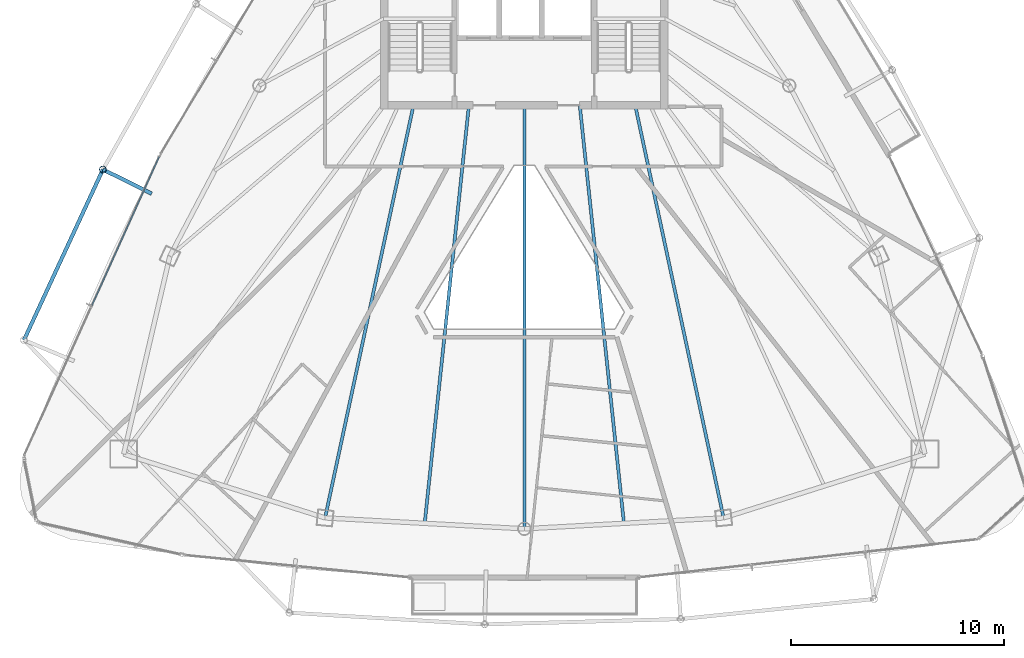
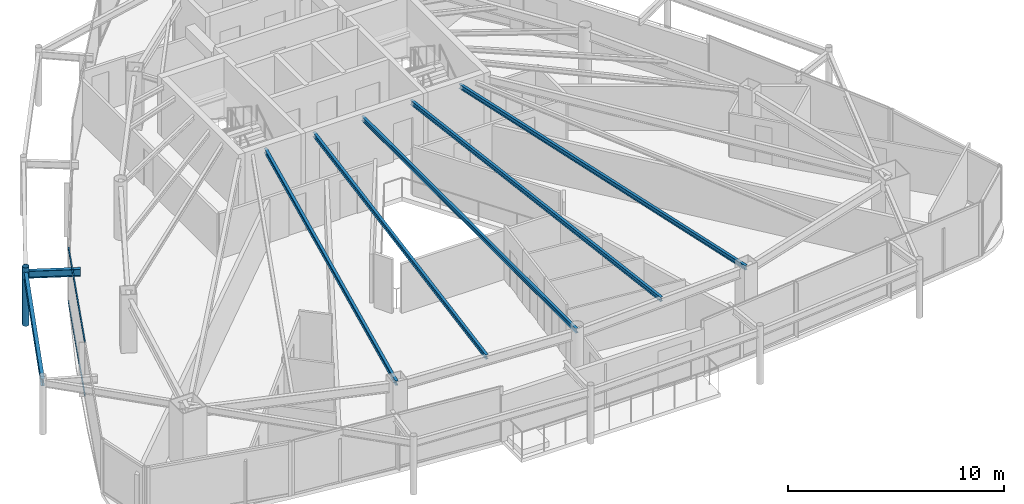
# One storey, part 10 of 33: 7 beams, 3 members, 1 element without a shape of its own.
"""IFC4 building model written with IfcOpenShell, lengths in metres."""

from ifc_helpers import new_model, si_unit, direction, frame, origin, origin_2d, place, context, subcontext, project, spatial, hollow_rectangle, hollow_circle, i_section, extrude, material, layer, layer_set, material_profile, profile_set, type_object, element, aggregate, save


model = new_model("IFC4")

# Units and contexts
model_context = context("Model", 3, precision=1e-05, world=origin(), true_north=direction((0.0, 1.0)))
body_context = subcontext(model_context, "Body", "Model", "MODEL_VIEW")
ifc_project = project(units=[si_unit("LENGTHUNIT", "METRE"), si_unit("AREAUNIT", "SQUARE_METRE"), si_unit("VOLUMEUNIT", "CUBIC_METRE"), si_unit("PLANEANGLEUNIT", "RADIAN"), si_unit("MASSUNIT", "GRAM", prefix="KILO")], contexts=[model_context])

# Site, building, storey
site_placement = place(None, origin())
site = spatial("IfcSite", under=ifc_project, at=site_placement, CompositionType="ELEMENT")
building_placement = place(site_placement, origin())
building = spatial("IfcBuilding", under=site, at=building_placement, Name="Orvanel Arch Residences", CompositionType="ELEMENT")
storey_placement = place(building_placement, frame((0.0, 0.0, 196.39990234375)))
storey = spatial("IfcBuildingStorey", under=building, at=storey_placement, Name="L55", CompositionType="ELEMENT", Elevation=196.39990234375)

# Beams
ifc_material_1 = material(Name="Structural steel AS/NZS 3679.1 Grade 300 (300 MPa)", Category="steel")
ifc_material_profile_1 = material_profile(ifc_material_1, i_section(OverallWidth=0.14599609375, OverallDepth=0.251953125, WebThickness=0.006103515625, FlangeThickness=0.008544921875, at=origin_2d()), Name="250UB31.4")
ifc_profile_set_1 = profile_set([ifc_material_profile_1], Name="Structural steel AS/NZS 3679.1 Grade 300 (300 MPa)")
beam_type_1 = type_object("IfcBeamType", Name="BJ-250UB", PredefinedType="JOIST", material=ifc_profile_set_1)
for number, where, z_axis, x_axis, name in (
    (1, (27.800048828125, 26.72509765625, 2.93408203125), (-0.209547604985, -0.977798446125, 0.0), (0.977798446125, -0.209547604985, 0.0), "L55 SW Wing Floor Joist"),
    (2, (38.199951171875, 26.72509765625, 2.93408203125), (0.209547604985, -0.977798446125, 0.0), (0.977798446125, 0.209547604985, 0.0), "L55 SE Wing Floor Joist"),
):
    element("IfcBeam", number, at=place(storey_placement, frame(where, z_axis=z_axis, x_axis=x_axis)), inside=storey, type_object=beam_type_1, Name=name, PredefinedType="JOIST", context=body_context, shape_type="SweptSolid", body=[
        extrude(i_section(OverallWidth=0.14599609375, OverallDepth=0.251953125, WebThickness=0.006103515625, FlangeThickness=0.008544921875, at=origin_2d()), origin(), (0.0, 0.0, 1.0), 19.809814453125),
    ])
beam_1_placement = place(storey_placement, frame((33.0, 26.72509765625, 2.93408203125), z_axis=(0.0, -1.0, 0.0), x_axis=(1.0, 0.0, 0.0)))
element("IfcBeam", 3, at=beam_1_placement, inside=storey, type_object=beam_type_1, Name="L55 SSW Wing Floor Joist", PredefinedType="JOIST", context=body_context, shape_type="SweptSolid", body=[
    extrude(i_section(OverallWidth=0.14599609375, OverallDepth=0.251953125, WebThickness=0.006103515625, FlangeThickness=0.008544921875, at=origin_2d()), origin(), (0.0, 0.0, 1.0), 19.881103515625),
])
for number, where, z_axis, x_axis, name in (
    (4, (30.39990234375, 26.72509765625, 2.93408203125), (-0.105143936131, -0.994457014, 0.0), (0.994457014, -0.105143936131, 0.0), "L55 WSW2 Wing Floor Joist"),
    (5, (35.60009765625, 26.72509765625, 2.93408203125), (0.105143936131, -0.994457014, 0.0), (0.994457014, 0.105143936131, 0.0), "L55 ESE2 Wing Floor Joist"),
):
    element("IfcBeam", number, at=place(storey_placement, frame(where, z_axis=z_axis, x_axis=x_axis)), inside=storey, type_object=beam_type_1, Name=name, PredefinedType="JOIST", context=body_context, shape_type="SweptSolid", body=[
        extrude(i_section(OverallWidth=0.14599609375, OverallDepth=0.251953125, WebThickness=0.006103515625, FlangeThickness=0.008544921875, at=origin_2d()), origin(), (0.0, 0.0, 1.0), 19.734375),
    ])
ifc_material_profile_2 = material_profile(ifc_material_1, i_section(OverallWidth=0.177978515625, OverallDepth=0.406005859375, WebThickness=0.0078125, FlangeThickness=0.0126953125, at=origin_2d()), Name="410UB59.7")
ifc_profile_set_2 = profile_set([ifc_material_profile_2], Name="Structural steel AS/NZS 3679.1 Grade 300 (300 MPa)")
beam_type_2 = type_object("IfcBeamType", Name="OB-410UB-EXT", PredefinedType="SPANDREL", material=ifc_profile_set_2)
beam_2_placement = place(storey_placement, frame((15.510009765625, 22.573974609375, 2.857177734375), z_axis=(-0.896618867703, 0.442803123385, 0.0), x_axis=(-0.442803123385, -0.896618867703, 0.0)))
element("IfcBeam", 6, at=beam_2_placement, inside=storey, type_object=beam_type_2, Name="L55 Outer Frame Radial Tie Beam 03", PredefinedType="SPANDREL", context=body_context, shape_type="SweptSolid", body=[
    extrude(i_section(OverallWidth=0.177978515625, OverallDepth=0.406005859375, WebThickness=0.0078125, FlangeThickness=0.0126953125, at=origin_2d()), origin(), (0.0, 0.0, 1.0), 2.549560546875),
])
beam_3_placement = place(storey_placement, frame((13.22412109375, 23.702880859375, 2.857177734375), z_axis=(-0.420076277338, -0.9074887995, 0.0), x_axis=(0.9074887995, -0.420076277338, 0.0)))
element("IfcBeam", 7, at=beam_3_placement, inside=storey, type_object=beam_type_2, Name="L55 Outer Perimeter Floor Ring Beam 03", PredefinedType="SPANDREL", context=body_context, shape_type="SweptSolid", body=[
    extrude(i_section(OverallWidth=0.177978515625, OverallDepth=0.406005859375, WebThickness=0.0078125, FlangeThickness=0.0126953125, at=origin_2d()), origin(), (0.0, 0.0, 1.0), 8.817626953125),
])

# Member
ifc_material_2 = material(Name="Structural steel AS/NZS 1163 C350L0 (Grade 350)", Category="steel")
ifc_material_profile_3 = material_profile(ifc_material_2, hollow_circle(Radius=0.162109375, WallThickness=0.0126953125, at=origin_2d()), Name="CHS324x12.7")
ifc_profile_set_3 = profile_set([ifc_material_profile_3], Name="Structural steel AS/NZS 1163 C350L0 (Grade 350)")
member_type_1 = type_object("IfcMemberType", Name="ST-324CHS-EXT", PredefinedType="STRUT", material=ifc_profile_set_3)
member_1_placement = place(storey_placement, frame((13.22412109375, 23.702880859375, 0.0), z_axis=(0.0, 0.0, 1.0), x_axis=(1.0, 0.0, 0.0)))
element("IfcMember", 8, at=member_1_placement, inside=storey, type_object=member_type_1, Name="L55 Outer Perimeter Frame Post 03", PredefinedType="STRUT", context=body_context, shape_type="SweptSolid", body=[
    extrude(hollow_circle(Radius=0.162109375, WallThickness=0.0126953125, at=origin_2d()), origin(), (0.0, 0.0, 1.0), 3.300048828125),
])

# Curtain wall, members
ifc_material_3 = material(Name="Bronze-anodised aluminium AA6063-T6", Category="aluminium")
ifc_layer = layer(ifc_material_3, 0.175048828125)
ifc_layer_set = layer_set([ifc_layer], Name="Bronze-anodised aluminium AA6063-T6")
curtain_wall_type = type_object("IfcCurtainWallType", Name="CW4-HI-SYS", PredefinedType="NOTDEFINED", material=ifc_layer_set)
curtain_wall_placement = place(storey_placement, origin())
curtain_wall = element("IfcCurtainWall", 9, at=curtain_wall_placement, inside=storey, type_object=curtain_wall_type, Name="L55 CW4-HI-SYS Unitised Curtain Wall", PredefinedType="NOTDEFINED")
ifc_material_profile_4 = material_profile(ifc_material_3, hollow_rectangle(XDim=0.06005859375, YDim=0.1201171875, WallThickness=0.00341796875, at=origin_2d()), Name="ALU120x60x3.5")
ifc_profile_set_4 = profile_set([ifc_material_profile_4], Name="Bronze-anodised aluminium AA6063-T6")
member_type_2 = type_object("IfcMemberType", Name="TRN-120x60", PredefinedType="USERDEFINED", material=ifc_profile_set_4)
member_2_placement = place(storey_placement, frame((15.8662109375, 24.306884765625, 0.030029296875), z_axis=(-0.411757574699, -0.911293421285, 0.0), x_axis=(0.911293421285, -0.411757574699, 0.0)))
member_2 = element("IfcMember", 10, at=member_2_placement, type_object=member_type_2, Name="CW-S4 transom 1.1", ObjectType="TRANSOM", PredefinedType="USERDEFINED", context=body_context, shape_type="SweptSolid", body=[
    extrude(hollow_rectangle(XDim=0.06005859375, YDim=0.1201171875, WallThickness=0.00341796875, at=origin_2d()), origin(), (0.0, 0.0, 1.0), 7.656982421875),
])
member_3_placement = place(storey_placement, frame((15.8662109375, 24.306884765625, 3.030029296875), z_axis=(-0.411757574699, -0.911293421285, 0.0), x_axis=(0.911293421285, -0.411757574699, 0.0)))
member_3 = element("IfcMember", 11, at=member_3_placement, type_object=member_type_2, Name="CW-S4 transom 1.2", ObjectType="TRANSOM", PredefinedType="USERDEFINED", context=body_context, shape_type="SweptSolid", body=[
    extrude(hollow_rectangle(XDim=0.06005859375, YDim=0.1201171875, WallThickness=0.00341796875, at=origin_2d()), origin(), (0.0, 0.0, 1.0), 7.656982421875),
])
aggregate(curtain_wall, [member_2, member_3])

save(model, "model.ifc")
